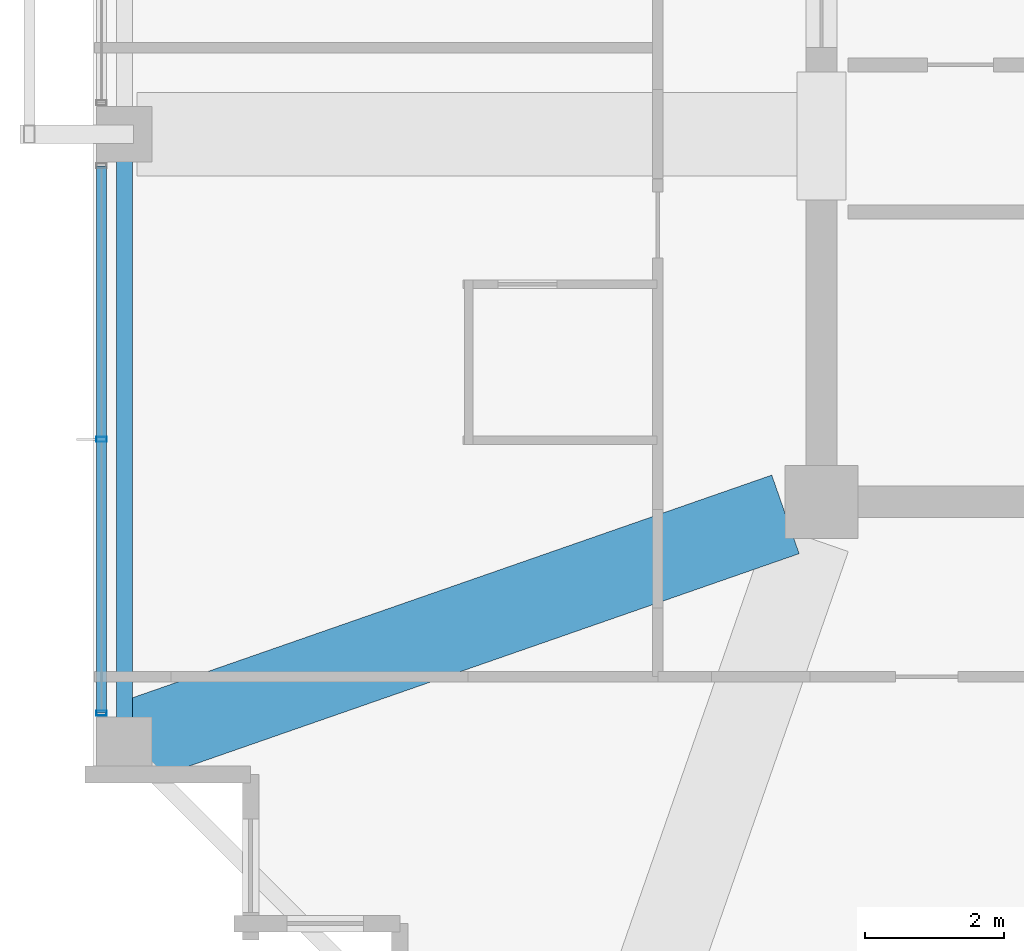
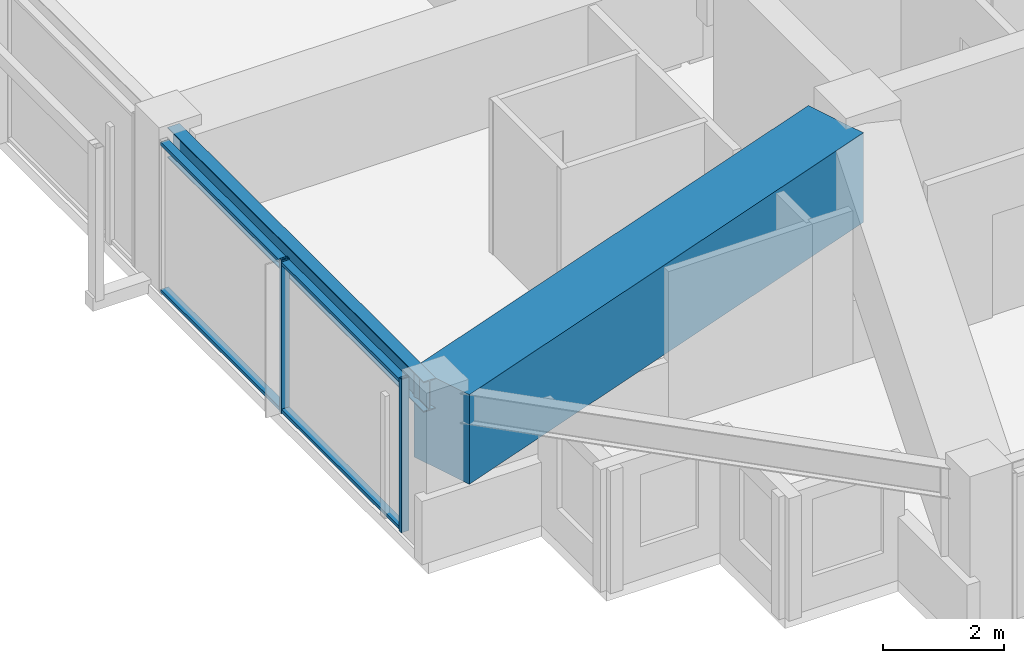
# One storey, part 3 of 37: 4 members, 2 beams, 1 element without a shape of its own.
"""IFC4 building model written with IfcOpenShell, lengths in metres."""

from ifc_helpers import new_model, si_unit, direction, frame, origin, origin_2d, place, context, subcontext, project, spatial, rectangle, hollow_rectangle, i_section, extrude, material, material_profile, profile_set, type_object, element, aggregate, save


model = new_model("IFC4")

# Units and contexts
model_context = context("Model", 3, precision=1e-05, world=origin(), true_north=direction((0.0, 1.0)))
body_context = subcontext(model_context, "Body", "Model", "MODEL_VIEW")
ifc_project = project(units=[si_unit("LENGTHUNIT", "METRE"), si_unit("AREAUNIT", "SQUARE_METRE"), si_unit("VOLUMEUNIT", "CUBIC_METRE"), si_unit("PLANEANGLEUNIT", "RADIAN"), si_unit("MASSUNIT", "GRAM", prefix="KILO")], contexts=[model_context])

# Site, building, storey
site_placement = place(None, origin())
site = spatial("IfcSite", under=ifc_project, at=site_placement, CompositionType="ELEMENT")
building_placement = place(site_placement, origin())
building = spatial("IfcBuilding", under=site, at=building_placement, Name="Kolvaren Belvedere", CompositionType="ELEMENT")
storey_placement = place(building_placement, frame((0.0, 0.0, 219.60009765625)))
storey = spatial("IfcBuildingStorey", under=building, at=storey_placement, Name="L64", CompositionType="ELEMENT", Elevation=219.60009765625)

# Beams
ifc_material_1 = material(Name="Structural steel ASTM A992 Grade 50", Category="steel")
ifc_material_profile_1 = material_profile(ifc_material_1, i_section(OverallWidth=0.22900390625, OverallDepth=0.612060546875, WebThickness=0.011962890625, FlangeThickness=0.01953125, FilletRadius=0.01806640625, at=origin_2d()), Name="W24X84")
ifc_profile_set_1 = profile_set([ifc_material_profile_1], Name="Structural steel ASTM A992 Grade 50")
beam_type_1 = type_object("IfcBeamType", Name="BM-SPAN-W24X84", PredefinedType="SPANDREL", material=ifc_profile_set_1)
beam_1_placement = place(storey_placement, frame((-19.949951171875, -4.780029296875, 2.77392578125), z_axis=(0.0, -1.0, 0.0), x_axis=(1.0, 0.0, 0.0)))
element("IfcBeam", 1, at=beam_1_placement, inside=storey, type_object=beam_type_1, Name="L64 Perimeter Spandrel W2-W1", PredefinedType="SPANDREL", context=body_context, shape_type="SweptSolid", body=[
    extrude(i_section(OverallWidth=0.22900390625, OverallDepth=0.612060546875, WebThickness=0.011962890625, FlangeThickness=0.01953125, FilletRadius=0.01806640625, at=origin_2d()), origin(), (0.0, 0.0, 1.0), 8.43994140625),
])
ifc_material_2 = material(Name="Concrete C50/60", Category="concrete")
ifc_material_profile_2 = material_profile(ifc_material_2, rectangle(XDim=1.199951171875, YDim=1.800048828125, at=origin_2d()), Name="RC 1200X1800")
ifc_profile_set_2 = profile_set([ifc_material_profile_2], Name="Concrete C50/60")
beam_type_2 = type_object("IfcBeamType", Name="BM-TG-1800", PredefinedType="BEAM", material=ifc_profile_set_2)
beam_2_placement = place(storey_placement, frame((-10.41943359375, -10.080810546875, 2.179931640625), z_axis=(-0.944365399758, -0.328898147971, 0.0), x_axis=(0.328898147971, -0.944365399758, 0.0)))
element("IfcBeam", 2, at=beam_2_placement, inside=storey, type_object=beam_type_2, Name="L64 Corner Core-to-Perimeter Girder CC1-W1", PredefinedType="BEAM", context=body_context, shape_type="SweptSolid", body=[
    extrude(rectangle(XDim=1.199951171875, YDim=1.800048828125, at=origin_2d()), origin(), (0.0, 0.0, 1.0), 9.931884765625),
])

# Curtain wall, members
ifc_material_3 = material(Name="Anodised pale-metal aluminium AA 6063-T6", Category="aluminium")
curtain_wall_type = type_object("IfcCurtainWallType", Name="CW-Z5-HIGH", PredefinedType="NOTDEFINED", material=ifc_material_3)
curtain_wall_placement = place(storey_placement, origin())
curtain_wall = element("IfcCurtainWall", 3, at=curtain_wall_placement, inside=storey, type_object=curtain_wall_type, Name="L64 Unitised Curtain Wall FCW-L64-W-B1", PredefinedType="NOTDEFINED")
ifc_material_4 = material(Name="Anodised pale-metal aluminium AA 6063-T6", Category="aluminium")
ifc_material_profile_3 = material_profile(ifc_material_4, hollow_rectangle(XDim=0.070068359375, YDim=0.14990234375, WallThickness=0.004150390625, at=origin_2d()), Name="ALU-MUL-150X70")
ifc_profile_set_3 = profile_set([ifc_material_profile_3], Name="Anodised pale-metal aluminium AA 6063-T6")
member_type_1 = type_object("IfcMemberType", Name="CW-MUL-150", PredefinedType="MULLION", material=ifc_profile_set_3)
member_1_placement = place(storey_placement, frame((-20.280029296875, -12.945068359375, 0.0), z_axis=(0.0, 0.0, 1.0), x_axis=(0.0, 1.0, 0.0)))
member_1 = element("IfcMember", 4, at=member_1_placement, type_object=member_type_1, Name="FCW-L64-W-B1 Unitised Mullion 1", PredefinedType="MULLION", context=body_context, shape_type="SweptSolid", body=[
    extrude(hollow_rectangle(XDim=0.070068359375, YDim=0.14990234375, WallThickness=0.004150390625, at=origin_2d()), origin(), (0.0, 0.0, 1.0), 3.079833984375),
])
member_2_placement = place(storey_placement, frame((-20.280029296875, -9.0, 0.0), z_axis=(0.0, 0.0, 1.0), x_axis=(0.0, 1.0, 0.0)))
member_2 = element("IfcMember", 5, at=member_2_placement, type_object=member_type_1, Name="FCW-L64-W-B1 Unitised Mullion 2", PredefinedType="MULLION", context=body_context, shape_type="SweptSolid", body=[
    extrude(hollow_rectangle(XDim=0.070068359375, YDim=0.14990234375, WallThickness=0.004150390625, at=origin_2d()), origin(), (0.0, 0.0, 1.0), 3.079833984375),
])
ifc_material_5 = material(Name="Anodised pale-metal aluminium AA 6063-T6", Category="aluminium")
ifc_material_profile_4 = material_profile(ifc_material_5, hollow_rectangle(XDim=0.06494140625, YDim=0.14990234375, WallThickness=0.00390625, at=origin_2d()), Name="ALU-TRN-150X65")
ifc_profile_set_4 = profile_set([ifc_material_profile_4], Name="Anodised pale-metal aluminium AA 6063-T6")
member_type_2 = type_object("IfcMemberType", Name="CW-TRN-150", PredefinedType="USERDEFINED", material=ifc_profile_set_4)
member_3_placement = place(storey_placement, frame((-20.280029296875, -12.945068359375, 0.059814453125), z_axis=(0.0, 1.0, 0.0), x_axis=(0.0, 0.0, 1.0)))
member_3 = element("IfcMember", 6, at=member_3_placement, type_object=member_type_2, Name="FCW-L64-W-B1 Sill Transom", ObjectType="TRANSOM", PredefinedType="USERDEFINED", context=body_context, shape_type="SweptSolid", body=[
    extrude(hollow_rectangle(XDim=0.06494140625, YDim=0.14990234375, WallThickness=0.00390625, at=origin_2d()), origin(), (0.0, 0.0, 1.0), 7.89013671875),
])
member_4_placement = place(storey_placement, frame((-20.280029296875, -12.945068359375, 3.02001953125), z_axis=(0.0, 1.0, 0.0), x_axis=(0.0, 0.0, 1.0)))
member_4 = element("IfcMember", 7, at=member_4_placement, type_object=member_type_2, Name="FCW-L64-W-B1 Head Transom", ObjectType="TRANSOM", PredefinedType="USERDEFINED", context=body_context, shape_type="SweptSolid", body=[
    extrude(hollow_rectangle(XDim=0.06494140625, YDim=0.14990234375, WallThickness=0.00390625, at=origin_2d()), origin(), (0.0, 0.0, 1.0), 7.89013671875),
])
aggregate(curtain_wall, [member_1, member_2, member_3, member_4])

save(model, "model.ifc")
